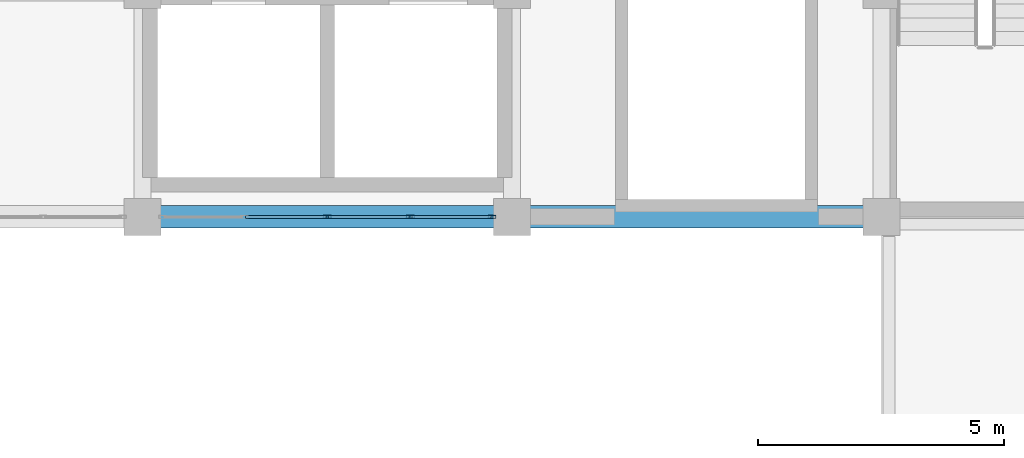
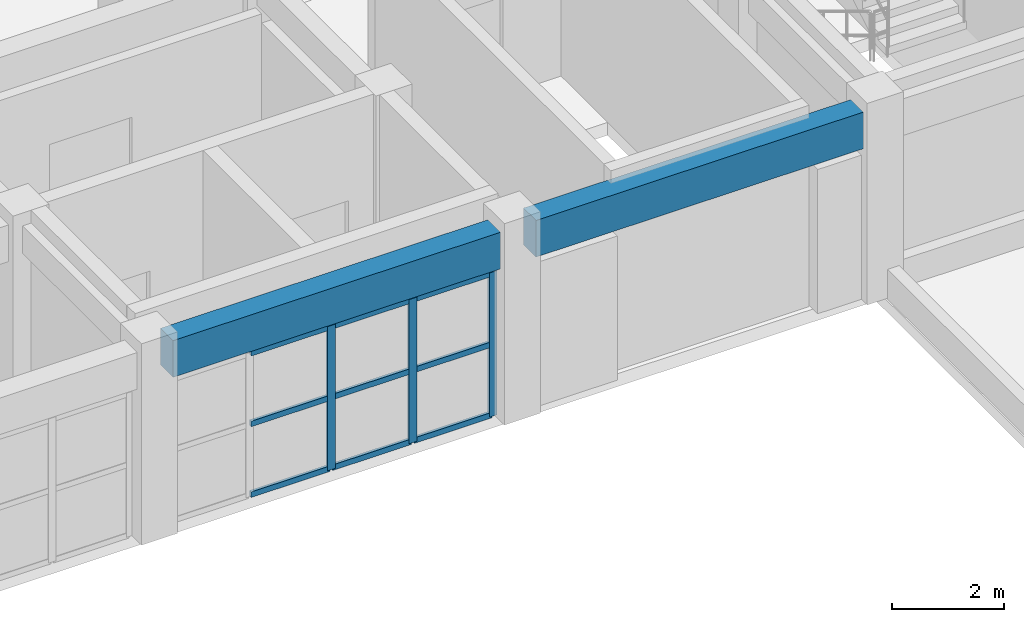
# One storey, part 27 of 90: 12 members, 2 beams, 1 element without a shape of its own.
"""IFC4 building model written with IfcOpenShell, lengths in metres."""

from ifc_helpers import new_model, si_unit, direction, frame, origin, origin_2d, place, context, subcontext, project, spatial, rectangle, hollow_rectangle, extrude, material, layer, layer_set, material_profile, profile_set, type_object, element, aggregate, save


model = new_model("IFC4")

# Units and contexts
model_context = context("Model", 3, precision=1e-05, world=origin(), true_north=direction((0.0, 1.0)))
body_context = subcontext(model_context, "Body", "Model", "MODEL_VIEW")
ifc_project = project(units=[si_unit("LENGTHUNIT", "METRE"), si_unit("AREAUNIT", "SQUARE_METRE"), si_unit("VOLUMEUNIT", "CUBIC_METRE"), si_unit("PLANEANGLEUNIT", "RADIAN"), si_unit("MASSUNIT", "GRAM", prefix="KILO")], contexts=[model_context])

# Site, building, storey
site_placement = place(None, origin())
site = spatial("IfcSite", under=ifc_project, at=site_placement, CompositionType="ELEMENT")
building_placement = place(site_placement, origin())
building = spatial("IfcBuilding", under=site, at=building_placement, Name="Muzn Square Opera House", CompositionType="ELEMENT")
storey_placement = place(building_placement, frame((0.0, 0.0, 9.800048828125)))
storey = spatial("IfcBuildingStorey", under=building, at=storey_placement, Name="L02", CompositionType="ELEMENT", Elevation=9.800048828125)

# Curtain wall, members
ifc_material_1 = material(Name="Low-E laminated acoustic double glazing", Category="glass")
ifc_layer = layer(ifc_material_1, 0.159912109375, Name="Low-E laminated acoustic double glazing", Category="glass")
ifc_layer_set = layer_set([ifc_layer], Name="Low-E laminated acoustic double glazing")
curtain_wall_type = type_object("IfcCurtainWallType", Name="Glazed Curtain Wall Forecourt 6750x3150", PredefinedType="USERDEFINED", material=ifc_layer_set)
curtain_wall_placement = place(storey_placement, origin())
curtain_wall = element("IfcCurtainWall", 1, at=curtain_wall_placement, inside=storey, type_object=curtain_wall_type, Name="Glazed Curtain Wall CW-L02-018", ObjectType="GLAZED CURTAIN WALL", PredefinedType="USERDEFINED")
ifc_material_2 = material(Name="Anodised bronze aluminium 6063-T6", Category="metal")
ifc_material_profile_1 = material_profile(ifc_material_2, hollow_rectangle(XDim=0.06005859375, YDim=0.159912109375, WallThickness=0.00390625, at=origin_2d()), Name="ALU 160x60x4", Category="metal")
ifc_profile_set_1 = profile_set([ifc_material_profile_1], Name="Anodised bronze aluminium 6063-T6")
member_type_1 = type_object("IfcMemberType", Name="Curtain Wall Mullion 160x60", PredefinedType="MULLION", material=ifc_profile_set_1)
member_1_placement = place(storey_placement, frame((114.25, 22.0, 0.0), z_axis=(0.0, 0.0, 1.0), x_axis=(0.0, 1.0, 0.0)))
member_1 = element("IfcMember", 2, at=member_1_placement, type_object=member_type_1, Name="CW-FC-67x31 mullion 3", PredefinedType="MULLION", context=body_context, shape_type="SweptSolid", body=[
    extrude(hollow_rectangle(XDim=0.06005859375, YDim=0.159912109375, WallThickness=0.00390625, at=origin_2d()), origin(), (0.0, 0.0, 1.0), 3.14990234375),
])
member_2_placement = place(storey_placement, frame((115.9375, 22.0, 0.0), z_axis=(0.0, 0.0, 1.0), x_axis=(0.0, 1.0, 0.0)))
member_2 = element("IfcMember", 3, at=member_2_placement, type_object=member_type_1, Name="CW-FC-67x31 mullion 4", PredefinedType="MULLION", context=body_context, shape_type="SweptSolid", body=[
    extrude(hollow_rectangle(XDim=0.06005859375, YDim=0.159912109375, WallThickness=0.00390625, at=origin_2d()), origin(), (0.0, 0.0, 1.0), 3.14990234375),
])
member_3_placement = place(storey_placement, frame((117.594970703125, 22.0, 0.0), z_axis=(0.0, 0.0, 1.0), x_axis=(0.0, 1.0, 0.0)))
member_3 = element("IfcMember", 4, at=member_3_placement, type_object=member_type_1, Name="CW-FC-67x31 mullion 5", PredefinedType="MULLION", context=body_context, shape_type="SweptSolid", body=[
    extrude(hollow_rectangle(XDim=0.06005859375, YDim=0.159912109375, WallThickness=0.00390625, at=origin_2d()), origin(), (0.0, 0.0, 1.0), 3.14990234375),
])
ifc_material_profile_2 = material_profile(ifc_material_2, hollow_rectangle(XDim=0.06005859375, YDim=0.1201171875, WallThickness=0.00390625, at=origin_2d()), Name="ALU 120x60x4", Category="metal")
ifc_profile_set_2 = profile_set([ifc_material_profile_2], Name="Anodised bronze aluminium 6063-T6")
member_type_2 = type_object("IfcMemberType", Name="Curtain Wall Transom 120x60", PredefinedType="USERDEFINED", material=ifc_profile_set_2)
member_4_placement = place(storey_placement, frame((112.592529296875, 22.0, 0.030029296875), z_axis=(1.0, 0.0, 0.0), x_axis=(0.0, 1.0, 0.0)))
member_4 = element("IfcMember", 5, at=member_4_placement, type_object=member_type_2, Name="CW-FC-67x31 transom 2.1", ObjectType="TRANSOM", PredefinedType="USERDEFINED", context=body_context, shape_type="SweptSolid", body=[
    extrude(hollow_rectangle(XDim=0.06005859375, YDim=0.1201171875, WallThickness=0.00390625, at=origin_2d()), origin(), (0.0, 0.0, 1.0), 1.62744140625),
])
member_5_placement = place(storey_placement, frame((112.592529296875, 22.0, 1.574951171875), z_axis=(1.0, 0.0, 0.0), x_axis=(0.0, 1.0, 0.0)))
member_5 = element("IfcMember", 6, at=member_5_placement, type_object=member_type_2, Name="CW-FC-67x31 transom 2.2", ObjectType="TRANSOM", PredefinedType="USERDEFINED", context=body_context, shape_type="SweptSolid", body=[
    extrude(hollow_rectangle(XDim=0.06005859375, YDim=0.1201171875, WallThickness=0.00390625, at=origin_2d()), origin(), (0.0, 0.0, 1.0), 1.62744140625),
])
member_6_placement = place(storey_placement, frame((112.592529296875, 22.0, 3.119873046875), z_axis=(1.0, 0.0, 0.0), x_axis=(0.0, 1.0, 0.0)))
member_6 = element("IfcMember", 7, at=member_6_placement, type_object=member_type_2, Name="CW-FC-67x31 transom 2.3", ObjectType="TRANSOM", PredefinedType="USERDEFINED", context=body_context, shape_type="SweptSolid", body=[
    extrude(hollow_rectangle(XDim=0.06005859375, YDim=0.1201171875, WallThickness=0.00390625, at=origin_2d()), origin(), (0.0, 0.0, 1.0), 1.62744140625),
])
member_7_placement = place(storey_placement, frame((114.280029296875, 22.0, 0.030029296875), z_axis=(1.0, 0.0, 0.0), x_axis=(0.0, 1.0, 0.0)))
member_7 = element("IfcMember", 8, at=member_7_placement, type_object=member_type_2, Name="CW-FC-67x31 transom 3.1", ObjectType="TRANSOM", PredefinedType="USERDEFINED", context=body_context, shape_type="SweptSolid", body=[
    extrude(hollow_rectangle(XDim=0.06005859375, YDim=0.1201171875, WallThickness=0.00390625, at=origin_2d()), origin(), (0.0, 0.0, 1.0), 1.62744140625),
])
member_8_placement = place(storey_placement, frame((114.280029296875, 22.0, 1.574951171875), z_axis=(1.0, 0.0, 0.0), x_axis=(0.0, 1.0, 0.0)))
member_8 = element("IfcMember", 9, at=member_8_placement, type_object=member_type_2, Name="CW-FC-67x31 transom 3.2", ObjectType="TRANSOM", PredefinedType="USERDEFINED", context=body_context, shape_type="SweptSolid", body=[
    extrude(hollow_rectangle(XDim=0.06005859375, YDim=0.1201171875, WallThickness=0.00390625, at=origin_2d()), origin(), (0.0, 0.0, 1.0), 1.62744140625),
])
member_9_placement = place(storey_placement, frame((114.280029296875, 22.0, 3.119873046875), z_axis=(1.0, 0.0, 0.0), x_axis=(0.0, 1.0, 0.0)))
member_9 = element("IfcMember", 10, at=member_9_placement, type_object=member_type_2, Name="CW-FC-67x31 transom 3.3", ObjectType="TRANSOM", PredefinedType="USERDEFINED", context=body_context, shape_type="SweptSolid", body=[
    extrude(hollow_rectangle(XDim=0.06005859375, YDim=0.1201171875, WallThickness=0.00390625, at=origin_2d()), origin(), (0.0, 0.0, 1.0), 1.62744140625),
])
member_10_placement = place(storey_placement, frame((115.967529296875, 22.0, 0.030029296875), z_axis=(1.0, 0.0, 0.0), x_axis=(0.0, 1.0, 0.0)))
member_10 = element("IfcMember", 11, at=member_10_placement, type_object=member_type_2, Name="CW-FC-67x31 transom 4.1", ObjectType="TRANSOM", PredefinedType="USERDEFINED", context=body_context, shape_type="SweptSolid", body=[
    extrude(hollow_rectangle(XDim=0.06005859375, YDim=0.1201171875, WallThickness=0.00390625, at=origin_2d()), origin(), (0.0, 0.0, 1.0), 1.597412109375),
])
member_11_placement = place(storey_placement, frame((115.967529296875, 22.0, 1.574951171875), z_axis=(1.0, 0.0, 0.0), x_axis=(0.0, 1.0, 0.0)))
member_11 = element("IfcMember", 12, at=member_11_placement, type_object=member_type_2, Name="CW-FC-67x31 transom 4.2", ObjectType="TRANSOM", PredefinedType="USERDEFINED", context=body_context, shape_type="SweptSolid", body=[
    extrude(hollow_rectangle(XDim=0.06005859375, YDim=0.1201171875, WallThickness=0.00390625, at=origin_2d()), origin(), (0.0, 0.0, 1.0), 1.597412109375),
])
member_12_placement = place(storey_placement, frame((115.967529296875, 22.0, 3.119873046875), z_axis=(1.0, 0.0, 0.0), x_axis=(0.0, 1.0, 0.0)))
member_12 = element("IfcMember", 13, at=member_12_placement, type_object=member_type_2, Name="CW-FC-67x31 transom 4.3", ObjectType="TRANSOM", PredefinedType="USERDEFINED", context=body_context, shape_type="SweptSolid", body=[
    extrude(hollow_rectangle(XDim=0.06005859375, YDim=0.1201171875, WallThickness=0.00390625, at=origin_2d()), origin(), (0.0, 0.0, 1.0), 1.597412109375),
])
aggregate(curtain_wall, [member_1, member_2, member_3, member_4, member_5, member_6, member_7, member_8, member_9, member_10, member_11, member_12])

# Beams
ifc_material_3 = material(Name="Concrete C40/50", Category="concrete")
ifc_material_profile_3 = material_profile(ifc_material_3, rectangle(XDim=0.449951171875, YDim=0.800048828125, at=origin_2d()), Name="RCB 450x800", Category="concrete")
ifc_profile_set_3 = profile_set([ifc_material_profile_3], Name="Concrete C40/50")
beam_type = type_object("IfcBeamType", Name="Primary Girder 450x800", PredefinedType="BEAM", material=ifc_profile_set_3)
for number, where, z_axis, x_axis, name in (
    (14, (110.866943359375, 22.0, 3.719970703125), (1.0, 0.0, 0.0), (0.0, 1.0, 0.0), "Primary Girder BM-L02-BM-PG800-1109_220_1176_220-1958"),
    (15, (118.366943359375, 22.0, 3.719970703125), (1.0, 0.0, 0.0), (0.0, 1.0, 0.0), "Primary Girder BM-L02-BM-PG800-1184_220_1251_220-1959"),
):
    element("IfcBeam", number, at=place(storey_placement, frame(where, z_axis=z_axis, x_axis=x_axis)), inside=storey, type_object=beam_type, Name=name, PredefinedType="BEAM", context=body_context, shape_type="SweptSolid", body=[
        extrude(rectangle(XDim=0.449951171875, YDim=0.800048828125, at=origin_2d()), origin(), (0.0, 0.0, 1.0), 6.76611328125),
    ])

save(model, "model.ifc")
